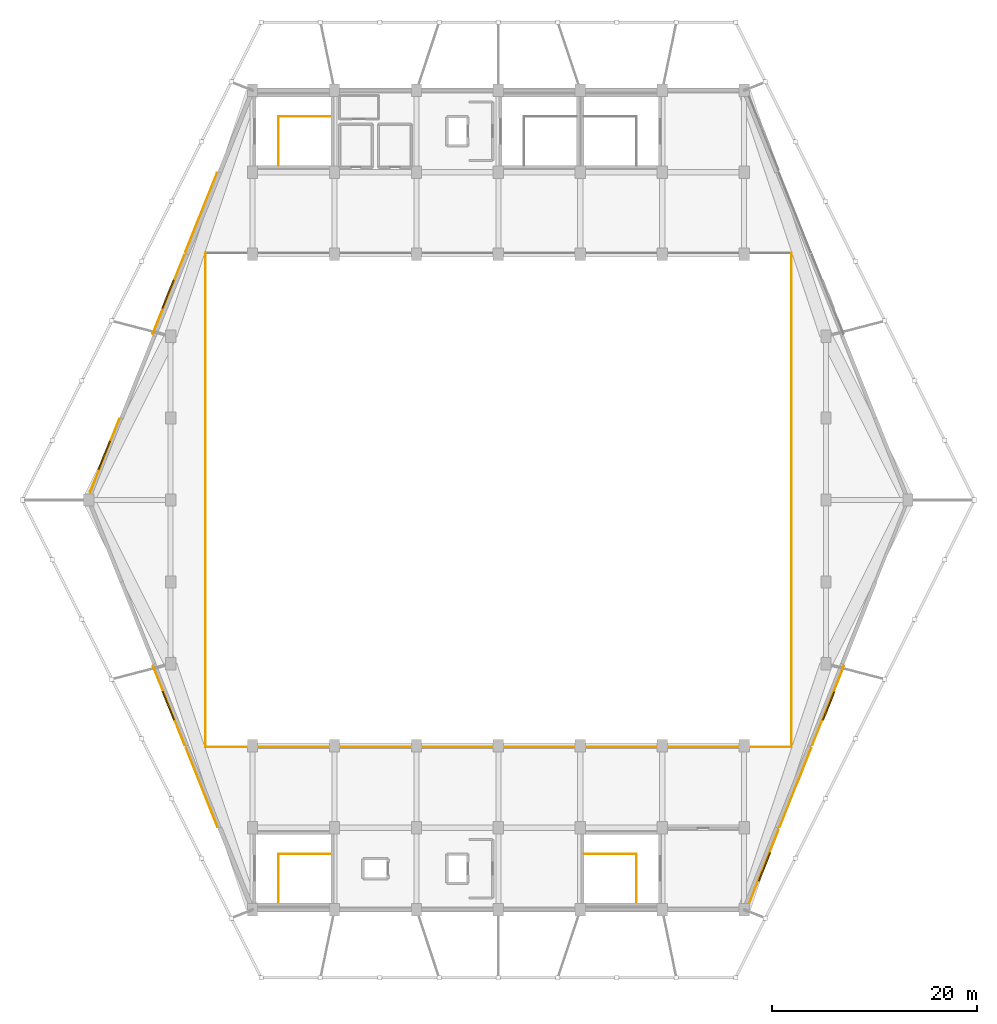
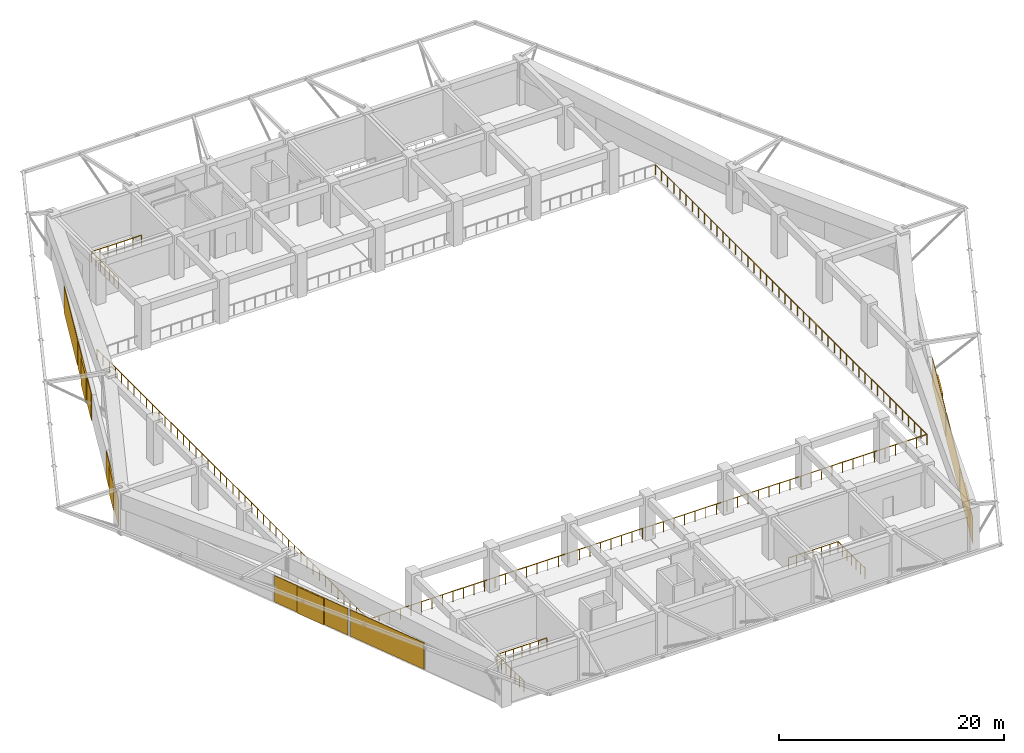
# One storey, part 8 of 9: 9 railings, 8 coverings, 5 shading devices.
"""IFC4 building model written with IfcOpenShell, lengths in metres."""

from ifc_helpers import new_model, si_unit, direction, frame, origin, origin_2d, place, context, subcontext, project, spatial, rectangle, circle, extrude, material, layer, layer_set, type_object, element, save


model = new_model("IFC4")

# Units and contexts
model_context = context("Model", 3, precision=1e-05, world=origin(), true_north=direction((0.0, 1.0)))
body_context = subcontext(model_context, "Body", "Model", "MODEL_VIEW")
ifc_project = project(units=[si_unit("LENGTHUNIT", "METRE"), si_unit("AREAUNIT", "SQUARE_METRE"), si_unit("VOLUMEUNIT", "CUBIC_METRE"), si_unit("PLANEANGLEUNIT", "RADIAN"), si_unit("MASSUNIT", "GRAM", prefix="KILO")], contexts=[model_context])

# Site, building, storey
site_placement = place(None, origin())
site = spatial("IfcSite", under=ifc_project, at=site_placement, CompositionType="ELEMENT")
building_placement = place(site_placement, origin())
building = spatial("IfcBuilding", under=site, at=building_placement, Name="Tazarka Park Arena", CompositionType="ELEMENT")
storey_placement = place(building_placement, frame((0.0, 0.0, 24.60009765625)))
storey = spatial("IfcBuildingStorey", under=building, at=storey_placement, Name="L05", CompositionType="ELEMENT", Elevation=24.60009765625)

# Coverings
ifc_material_1 = material(Name="Dark ribbed perforated bronze-charcoal aluminium mesh", Category="aluminium")
ifc_layer = layer(ifc_material_1, 0.06005859375, Name="Dark ribbed perforated bronze-charcoal aluminium mesh")
ifc_layer_set = layer_set([ifc_layer], Name="Dark ribbed perforated bronze-charcoal aluminium mesh")
covering_type = type_object("IfcCoveringType", Name="CLD-01", PredefinedType="CLADDING", material=ifc_layer_set)
for number, where, z_axis, x_axis, name in (
    (1, (120.19970703125, 43.920166015625, 0.0), (0.0, 0.0, 1.0), (-0.37136783555, -0.928485826881, 0.0), "Ribbed Metal Mesh Cladding EW-L05-0364"),
    (2, (117.0087890625, 35.91650390625, 0.0), (0.0, 0.0, 1.0), (-0.37136783555, -0.928485826881, 0.0), "Ribbed Metal Mesh Cladding EW-L05-0365"),
):
    element("IfcCovering", number, at=place(storey_placement, frame(where, z_axis=z_axis, x_axis=x_axis)), inside=storey, type_object=covering_type, Name=name, PredefinedType="CLADDING", context=body_context, shape_type="SweptSolid", body=[
        extrude(rectangle(XDim=8.31640625, YDim=0.06005859375, at=origin_2d()), origin(), (0.0, 0.0, 1.0), 2.860107421875),
    ])
for number, where, z_axis, x_axis, name in (
    (3, (113.929443359375, 28.20458984375, 0.0), (0.0, 0.0, 1.0), (-0.37136783555, -0.928485826881, 0.0), "Ribbed Metal Mesh Cladding EW-L05-0366"),
    (4, (49.572021484375, 68.34765625, 0.0), (0.0, 0.0, 1.0), (0.37136783555, 0.928485826881, 0.0), "Ribbed Metal Mesh Cladding EW-L05-0378"),
):
    element("IfcCovering", number, at=place(storey_placement, frame(where, z_axis=z_axis, x_axis=x_axis)), inside=storey, type_object=covering_type, Name=name, PredefinedType="CLADDING", context=body_context, shape_type="SweptSolid", body=[
        extrude(rectangle(XDim=7.691650390625, YDim=0.06005859375, at=origin_2d()), origin(), (0.0, 0.0, 1.0), 2.860107421875),
    ])
for number, where, z_axis, x_axis, name in (
    (5, (55.80029296875, 84.079833984375, 0.0), (0.0, 0.0, 1.0), (0.37136783555, 0.928485826881, 0.0), "Ribbed Metal Mesh Cladding EW-L05-0380"),
    (6, (58.9912109375, 92.08349609375, 0.0), (0.0, 0.0, 1.0), (0.37136783555, 0.928485826881, 0.0), "Ribbed Metal Mesh Cladding EW-L05-0381"),
    (7, (59.042236328125, 35.93701171875, 0.0), (0.0, 0.0, 1.0), (-0.37136783555, 0.928485826881, 0.0), "Ribbed Metal Mesh Cladding EW-L05-0384"),
    (8, (55.8330078125, 43.93310546875, 0.0), (0.0, 0.0, 1.0), (-0.37136783555, 0.928485826881, 0.0), "Ribbed Metal Mesh Cladding EW-L05-0385"),
):
    element("IfcCovering", number, at=place(storey_placement, frame(where, z_axis=z_axis, x_axis=x_axis)), inside=storey, type_object=covering_type, Name=name, PredefinedType="CLADDING", context=body_context, shape_type="SweptSolid", body=[
        extrude(rectangle(XDim=8.31640625, YDim=0.06005859375, at=origin_2d()), origin(), (0.0, 0.0, 1.0), 2.860107421875),
    ])

# Railings
ifc_material_2 = material(Name="Galvanised powder-coated architectural steel", Category="steel")
railing_type = type_object("IfcRailingType", Name="IGR-01", PredefinedType="GUARDRAIL", material=ifc_material_2)
railing_1_placement = place(storey_placement, frame((66.514892578125, 24.679931640625, 0.0)))
element("IfcRailing", 9, at=railing_1_placement, inside=storey, type_object=railing_type, Name="Stair Well Guardrail ST09-L05", PredefinedType="GUARDRAIL", context=body_context, shape_type="SweptSolid", body=[
    extrude(circle(Radius=0.02392578125, at=origin_2d()), frame((0.0, 0.0, 1.1259765625), z_axis=(0.0, 1.0, 0.0), x_axis=(-1.0, 0.0, 0.0)), (0.0, 0.0, 1.0), 4.77001953125),
    extrude(circle(Radius=0.02099609375, at=origin_2d()), origin(), (0.0, 0.0, 1.0), 1.101806640625),
    extrude(circle(Radius=0.02099609375, at=origin_2d()), frame((0.0, 0.794921875, 0.0)), (0.0, 0.0, 1.0), 1.101806640625),
    extrude(circle(Radius=0.02099609375, at=origin_2d()), frame((0.0, 1.590087890625, 0.0)), (0.0, 0.0, 1.0), 1.101806640625),
    extrude(circle(Radius=0.02099609375, at=origin_2d()), frame((0.0, 2.385009765625, 0.0)), (0.0, 0.0, 1.0), 1.101806640625),
    extrude(circle(Radius=0.02099609375, at=origin_2d()), frame((0.0, 3.179931640625, 0.0)), (0.0, 0.0, 1.0), 1.101806640625),
    extrude(circle(Radius=0.02099609375, at=origin_2d()), frame((0.0, 3.97509765625, 0.0)), (0.0, 0.0, 1.0), 1.101806640625),
    extrude(circle(Radius=0.02099609375, at=origin_2d()), frame((0.0, 4.77001953125, 0.0)), (0.0, 0.0, 1.0), 1.101806640625),
])
railing_2_placement = place(storey_placement, frame((66.514892578125, 29.449951171875, 0.0)))
element("IfcRailing", 10, at=railing_2_placement, inside=storey, type_object=railing_type, Name="Top Well Guardrail ST09-L05", PredefinedType="GUARDRAIL", context=body_context, shape_type="SweptSolid", body=[
    extrude(circle(Radius=0.02392578125, at=origin_2d()), frame((0.0, 0.0, 1.1259765625), z_axis=(1.0, 0.0, 0.0), x_axis=(0.0, 1.0, 0.0)), (0.0, 0.0, 1.0), 5.105224609375),
    extrude(circle(Radius=0.02099609375, at=origin_2d()), origin(), (0.0, 0.0, 1.0), 1.101806640625),
    extrude(circle(Radius=0.02099609375, at=origin_2d()), frame((0.850830078125, 0.0, 0.0)), (0.0, 0.0, 1.0), 1.101806640625),
    extrude(circle(Radius=0.02099609375, at=origin_2d()), frame((1.70166015625, 0.0, 0.0)), (0.0, 0.0, 1.0), 1.101806640625),
    extrude(circle(Radius=0.02099609375, at=origin_2d()), frame((2.552734375, 0.0, 0.0)), (0.0, 0.0, 1.0), 1.101806640625),
    extrude(circle(Radius=0.02099609375, at=origin_2d()), frame((3.403564453125, 0.0, 0.0)), (0.0, 0.0, 1.0), 1.101806640625),
    extrude(circle(Radius=0.02099609375, at=origin_2d()), frame((4.25439453125, 0.0, 0.0)), (0.0, 0.0, 1.0), 1.101806640625),
    extrude(circle(Radius=0.02099609375, at=origin_2d()), frame((5.105224609375, 0.0, 0.0)), (0.0, 0.0, 1.0), 1.101806640625),
])
railing_3_placement = place(storey_placement, frame((101.485107421875, 24.679931640625, 0.0)))
element("IfcRailing", 11, at=railing_3_placement, inside=storey, type_object=railing_type, Name="Stair Well Guardrail ST11-L05", PredefinedType="GUARDRAIL", context=body_context, shape_type="SweptSolid", body=[
    extrude(circle(Radius=0.02392578125, at=origin_2d()), frame((0.0, 0.0, 1.1259765625), z_axis=(0.0, 1.0, 0.0), x_axis=(-1.0, 0.0, 0.0)), (0.0, 0.0, 1.0), 4.77001953125),
    extrude(circle(Radius=0.02099609375, at=origin_2d()), origin(), (0.0, 0.0, 1.0), 1.101806640625),
    extrude(circle(Radius=0.02099609375, at=origin_2d()), frame((0.0, 0.794921875, 0.0)), (0.0, 0.0, 1.0), 1.101806640625),
    extrude(circle(Radius=0.02099609375, at=origin_2d()), frame((0.0, 1.590087890625, 0.0)), (0.0, 0.0, 1.0), 1.101806640625),
    extrude(circle(Radius=0.02099609375, at=origin_2d()), frame((0.0, 2.385009765625, 0.0)), (0.0, 0.0, 1.0), 1.101806640625),
    extrude(circle(Radius=0.02099609375, at=origin_2d()), frame((0.0, 3.179931640625, 0.0)), (0.0, 0.0, 1.0), 1.101806640625),
    extrude(circle(Radius=0.02099609375, at=origin_2d()), frame((0.0, 3.97509765625, 0.0)), (0.0, 0.0, 1.0), 1.101806640625),
    extrude(circle(Radius=0.02099609375, at=origin_2d()), frame((0.0, 4.77001953125, 0.0)), (0.0, 0.0, 1.0), 1.101806640625),
])
railing_4_placement = place(storey_placement, frame((101.485107421875, 29.449951171875, 0.0)))
element("IfcRailing", 12, at=railing_4_placement, inside=storey, type_object=railing_type, Name="Top Well Guardrail ST11-L05", PredefinedType="GUARDRAIL", context=body_context, shape_type="SweptSolid", body=[
    extrude(circle(Radius=0.02392578125, at=origin_2d()), frame((0.0, 0.0, 1.1259765625), z_axis=(-1.0, 0.0, 0.0), x_axis=(0.0, -1.0, 0.0)), (0.0, 0.0, 1.0), 5.105224609375),
    extrude(circle(Radius=0.02099609375, at=origin_2d()), origin(), (0.0, 0.0, 1.0), 1.101806640625),
    extrude(circle(Radius=0.02099609375, at=origin_2d()), frame((-0.850830078125, 0.0, 0.0)), (0.0, 0.0, 1.0), 1.101806640625),
    extrude(circle(Radius=0.02099609375, at=origin_2d()), frame((-1.70166015625, 0.0, 0.0)), (0.0, 0.0, 1.0), 1.101806640625),
    extrude(circle(Radius=0.02099609375, at=origin_2d()), frame((-2.552734375, 0.0, 0.0)), (0.0, 0.0, 1.0), 1.101806640625),
    extrude(circle(Radius=0.02099609375, at=origin_2d()), frame((-3.403564453125, 0.0, 0.0)), (0.0, 0.0, 1.0), 1.101806640625),
    extrude(circle(Radius=0.02099609375, at=origin_2d()), frame((-4.25439453125, 0.0, 0.0)), (0.0, 0.0, 1.0), 1.101806640625),
    extrude(circle(Radius=0.02099609375, at=origin_2d()), frame((-5.105224609375, 0.0, 0.0)), (0.0, 0.0, 1.0), 1.101806640625),
])
railing_5_placement = place(storey_placement, frame((66.514892578125, 96.679931640625, 0.0)))
element("IfcRailing", 13, at=railing_5_placement, inside=storey, type_object=railing_type, Name="Stair Well Guardrail ST14-L05", PredefinedType="GUARDRAIL", context=body_context, shape_type="SweptSolid", body=[
    extrude(circle(Radius=0.02392578125, at=origin_2d()), frame((0.0, 0.0, 1.1259765625), z_axis=(0.0, 1.0, 0.0), x_axis=(-1.0, 0.0, 0.0)), (0.0, 0.0, 1.0), 4.77001953125),
    extrude(circle(Radius=0.02099609375, at=origin_2d()), origin(), (0.0, 0.0, 1.0), 1.101806640625),
    extrude(circle(Radius=0.02099609375, at=origin_2d()), frame((0.0, 0.794921875, 0.0)), (0.0, 0.0, 1.0), 1.101806640625),
    extrude(circle(Radius=0.02099609375, at=origin_2d()), frame((0.0, 1.590087890625, 0.0)), (0.0, 0.0, 1.0), 1.101806640625),
    extrude(circle(Radius=0.02099609375, at=origin_2d()), frame((0.0, 2.385009765625, 0.0)), (0.0, 0.0, 1.0), 1.101806640625),
    extrude(circle(Radius=0.02099609375, at=origin_2d()), frame((0.0, 3.179931640625, 0.0)), (0.0, 0.0, 1.0), 1.101806640625),
    extrude(circle(Radius=0.02099609375, at=origin_2d()), frame((0.0, 3.97509765625, 0.0)), (0.0, 0.0, 1.0), 1.101806640625),
    extrude(circle(Radius=0.02099609375, at=origin_2d()), frame((0.0, 4.77001953125, 0.0)), (0.0, 0.0, 1.0), 1.101806640625),
])
railing_6_placement = place(storey_placement, frame((66.514892578125, 101.449951171875, 0.0)))
element("IfcRailing", 14, at=railing_6_placement, inside=storey, type_object=railing_type, Name="Top Well Guardrail ST14-L05", PredefinedType="GUARDRAIL", context=body_context, shape_type="SweptSolid", body=[
    extrude(circle(Radius=0.02392578125, at=origin_2d()), frame((0.0, 0.0, 1.1259765625), z_axis=(1.0, 0.0, 0.0), x_axis=(0.0, 1.0, 0.0)), (0.0, 0.0, 1.0), 5.105224609375),
    extrude(circle(Radius=0.02099609375, at=origin_2d()), origin(), (0.0, 0.0, 1.0), 1.101806640625),
    extrude(circle(Radius=0.02099609375, at=origin_2d()), frame((0.850830078125, 0.0, 0.0)), (0.0, 0.0, 1.0), 1.101806640625),
    extrude(circle(Radius=0.02099609375, at=origin_2d()), frame((1.70166015625, 0.0, 0.0)), (0.0, 0.0, 1.0), 1.101806640625),
    extrude(circle(Radius=0.02099609375, at=origin_2d()), frame((2.552734375, 0.0, 0.0)), (0.0, 0.0, 1.0), 1.101806640625),
    extrude(circle(Radius=0.02099609375, at=origin_2d()), frame((3.403564453125, 0.0, 0.0)), (0.0, 0.0, 1.0), 1.101806640625),
    extrude(circle(Radius=0.02099609375, at=origin_2d()), frame((4.25439453125, 0.0, 0.0)), (0.0, 0.0, 1.0), 1.101806640625),
    extrude(circle(Radius=0.02099609375, at=origin_2d()), frame((5.105224609375, 0.0, 0.0)), (0.0, 0.0, 1.0), 1.101806640625),
])
railing_7_placement = place(storey_placement, frame((59.3798828125, 39.8798828125, 0.0)))
element("IfcRailing", 15, at=railing_7_placement, inside=storey, type_object=railing_type, Name="Interior Barrier Guardrail IGR-01-019", PredefinedType="GUARDRAIL", context=body_context, shape_type="SweptSolid", body=[
    extrude(circle(Radius=0.02392578125, at=origin_2d()), frame((0.0, 0.0, 1.1259765625), z_axis=(0.0, 1.0, 0.0), x_axis=(-1.0, 0.0, 0.0)), (0.0, 0.0, 1.0), 48.240234375),
    extrude(circle(Radius=0.02099609375, at=origin_2d()), origin(), (0.0, 0.0, 1.0), 1.101806640625),
    extrude(circle(Radius=0.02099609375, at=origin_2d()), frame((0.0, 1.096435546875, 0.0)), (0.0, 0.0, 1.0), 1.101806640625),
    extrude(circle(Radius=0.02099609375, at=origin_2d()), frame((0.0, 2.192626953125, 0.0)), (0.0, 0.0, 1.0), 1.101806640625),
    extrude(circle(Radius=0.02099609375, at=origin_2d()), frame((0.0, 3.2890625, 0.0)), (0.0, 0.0, 1.0), 1.101806640625),
    extrude(circle(Radius=0.02099609375, at=origin_2d()), frame((0.0, 4.385498046875, 0.0)), (0.0, 0.0, 1.0), 1.101806640625),
    extrude(circle(Radius=0.02099609375, at=origin_2d()), frame((0.0, 5.48193359375, 0.0)), (0.0, 0.0, 1.0), 1.101806640625),
    extrude(circle(Radius=0.02099609375, at=origin_2d()), frame((0.0, 6.578125, 0.0)), (0.0, 0.0, 1.0), 1.101806640625),
    extrude(circle(Radius=0.02099609375, at=origin_2d()), frame((0.0, 7.674560546875, 0.0)), (0.0, 0.0, 1.0), 1.101806640625),
    extrude(circle(Radius=0.02099609375, at=origin_2d()), frame((0.0, 8.77099609375, 0.0)), (0.0, 0.0, 1.0), 1.101806640625),
    extrude(circle(Radius=0.02099609375, at=origin_2d()), frame((0.0, 9.867431640625, 0.0)), (0.0, 0.0, 1.0), 1.101806640625),
    extrude(circle(Radius=0.02099609375, at=origin_2d()), frame((0.0, 10.963623046875, 0.0)), (0.0, 0.0, 1.0), 1.101806640625),
    extrude(circle(Radius=0.02099609375, at=origin_2d()), frame((0.0, 12.06005859375, 0.0)), (0.0, 0.0, 1.0), 1.101806640625),
    extrude(circle(Radius=0.02099609375, at=origin_2d()), frame((0.0, 13.156494140625, 0.0)), (0.0, 0.0, 1.0), 1.101806640625),
    extrude(circle(Radius=0.02099609375, at=origin_2d()), frame((0.0, 14.252685546875, 0.0)), (0.0, 0.0, 1.0), 1.101806640625),
    extrude(circle(Radius=0.02099609375, at=origin_2d()), frame((0.0, 15.34912109375, 0.0)), (0.0, 0.0, 1.0), 1.101806640625),
    extrude(circle(Radius=0.02099609375, at=origin_2d()), frame((0.0, 16.445556640625, 0.0)), (0.0, 0.0, 1.0), 1.101806640625),
    extrude(circle(Radius=0.02099609375, at=origin_2d()), frame((0.0, 17.5419921875, 0.0)), (0.0, 0.0, 1.0), 1.101806640625),
    extrude(circle(Radius=0.02099609375, at=origin_2d()), frame((0.0, 18.63818359375, 0.0)), (0.0, 0.0, 1.0), 1.101806640625),
    extrude(circle(Radius=0.02099609375, at=origin_2d()), frame((0.0, 19.734619140625, 0.0)), (0.0, 0.0, 1.0), 1.101806640625),
    extrude(circle(Radius=0.02099609375, at=origin_2d()), frame((0.0, 20.8310546875, 0.0)), (0.0, 0.0, 1.0), 1.101806640625),
    extrude(circle(Radius=0.02099609375, at=origin_2d()), frame((0.0, 21.927490234375, 0.0)), (0.0, 0.0, 1.0), 1.101806640625),
    extrude(circle(Radius=0.02099609375, at=origin_2d()), frame((0.0, 23.023681640625, 0.0)), (0.0, 0.0, 1.0), 1.101806640625),
    extrude(circle(Radius=0.02099609375, at=origin_2d()), frame((0.0, 24.1201171875, 0.0)), (0.0, 0.0, 1.0), 1.101806640625),
    extrude(circle(Radius=0.02099609375, at=origin_2d()), frame((0.0, 25.216552734375, 0.0)), (0.0, 0.0, 1.0), 1.101806640625),
    extrude(circle(Radius=0.02099609375, at=origin_2d()), frame((0.0, 26.312744140625, 0.0)), (0.0, 0.0, 1.0), 1.101806640625),
    extrude(circle(Radius=0.02099609375, at=origin_2d()), frame((0.0, 27.4091796875, 0.0)), (0.0, 0.0, 1.0), 1.101806640625),
    extrude(circle(Radius=0.02099609375, at=origin_2d()), frame((0.0, 28.505615234375, 0.0)), (0.0, 0.0, 1.0), 1.101806640625),
    extrude(circle(Radius=0.02099609375, at=origin_2d()), frame((0.0, 29.60205078125, 0.0)), (0.0, 0.0, 1.0), 1.101806640625),
    extrude(circle(Radius=0.02099609375, at=origin_2d()), frame((0.0, 30.6982421875, 0.0)), (0.0, 0.0, 1.0), 1.101806640625),
    extrude(circle(Radius=0.02099609375, at=origin_2d()), frame((0.0, 31.794677734375, 0.0)), (0.0, 0.0, 1.0), 1.101806640625),
    extrude(circle(Radius=0.02099609375, at=origin_2d()), frame((0.0, 32.89111328125, 0.0)), (0.0, 0.0, 1.0), 1.101806640625),
    extrude(circle(Radius=0.02099609375, at=origin_2d()), frame((0.0, 33.987548828125, 0.0)), (0.0, 0.0, 1.0), 1.101806640625),
    extrude(circle(Radius=0.02099609375, at=origin_2d()), frame((0.0, 35.083740234375, 0.0)), (0.0, 0.0, 1.0), 1.101806640625),
    extrude(circle(Radius=0.02099609375, at=origin_2d()), frame((0.0, 36.18017578125, 0.0)), (0.0, 0.0, 1.0), 1.101806640625),
    extrude(circle(Radius=0.02099609375, at=origin_2d()), frame((0.0, 37.276611328125, 0.0)), (0.0, 0.0, 1.0), 1.101806640625),
    extrude(circle(Radius=0.02099609375, at=origin_2d()), frame((0.0, 38.372802734375, 0.0)), (0.0, 0.0, 1.0), 1.101806640625),
    extrude(circle(Radius=0.02099609375, at=origin_2d()), frame((0.0, 39.46923828125, 0.0)), (0.0, 0.0, 1.0), 1.101806640625),
    extrude(circle(Radius=0.02099609375, at=origin_2d()), frame((0.0, 40.565673828125, 0.0)), (0.0, 0.0, 1.0), 1.101806640625),
    extrude(circle(Radius=0.02099609375, at=origin_2d()), frame((0.0, 41.662109375, 0.0)), (0.0, 0.0, 1.0), 1.101806640625),
    extrude(circle(Radius=0.02099609375, at=origin_2d()), frame((0.0, 42.75830078125, 0.0)), (0.0, 0.0, 1.0), 1.101806640625),
    extrude(circle(Radius=0.02099609375, at=origin_2d()), frame((0.0, 43.854736328125, 0.0)), (0.0, 0.0, 1.0), 1.101806640625),
    extrude(circle(Radius=0.02099609375, at=origin_2d()), frame((0.0, 44.951171875, 0.0)), (0.0, 0.0, 1.0), 1.101806640625),
    extrude(circle(Radius=0.02099609375, at=origin_2d()), frame((0.0, 46.047607421875, 0.0)), (0.0, 0.0, 1.0), 1.101806640625),
    extrude(circle(Radius=0.02099609375, at=origin_2d()), frame((0.0, 47.143798828125, 0.0)), (0.0, 0.0, 1.0), 1.101806640625),
    extrude(circle(Radius=0.02099609375, at=origin_2d()), frame((0.0, 48.240234375, 0.0)), (0.0, 0.0, 1.0), 1.101806640625),
])
railing_8_placement = place(storey_placement, frame((116.6201171875, 39.8798828125, 0.0)))
element("IfcRailing", 16, at=railing_8_placement, inside=storey, type_object=railing_type, Name="Interior Barrier Guardrail IGR-01-020", PredefinedType="GUARDRAIL", context=body_context, shape_type="SweptSolid", body=[
    extrude(circle(Radius=0.02392578125, at=origin_2d()), frame((0.0, 0.0, 1.1259765625), z_axis=(0.0, 1.0, 0.0), x_axis=(-1.0, 0.0, 0.0)), (0.0, 0.0, 1.0), 48.240234375),
    extrude(circle(Radius=0.02099609375, at=origin_2d()), origin(), (0.0, 0.0, 1.0), 1.101806640625),
    extrude(circle(Radius=0.02099609375, at=origin_2d()), frame((0.0, 1.096435546875, 0.0)), (0.0, 0.0, 1.0), 1.101806640625),
    extrude(circle(Radius=0.02099609375, at=origin_2d()), frame((0.0, 2.192626953125, 0.0)), (0.0, 0.0, 1.0), 1.101806640625),
    extrude(circle(Radius=0.02099609375, at=origin_2d()), frame((0.0, 3.2890625, 0.0)), (0.0, 0.0, 1.0), 1.101806640625),
    extrude(circle(Radius=0.02099609375, at=origin_2d()), frame((0.0, 4.385498046875, 0.0)), (0.0, 0.0, 1.0), 1.101806640625),
    extrude(circle(Radius=0.02099609375, at=origin_2d()), frame((0.0, 5.48193359375, 0.0)), (0.0, 0.0, 1.0), 1.101806640625),
    extrude(circle(Radius=0.02099609375, at=origin_2d()), frame((0.0, 6.578125, 0.0)), (0.0, 0.0, 1.0), 1.101806640625),
    extrude(circle(Radius=0.02099609375, at=origin_2d()), frame((0.0, 7.674560546875, 0.0)), (0.0, 0.0, 1.0), 1.101806640625),
    extrude(circle(Radius=0.02099609375, at=origin_2d()), frame((0.0, 8.77099609375, 0.0)), (0.0, 0.0, 1.0), 1.101806640625),
    extrude(circle(Radius=0.02099609375, at=origin_2d()), frame((0.0, 9.867431640625, 0.0)), (0.0, 0.0, 1.0), 1.101806640625),
    extrude(circle(Radius=0.02099609375, at=origin_2d()), frame((0.0, 10.963623046875, 0.0)), (0.0, 0.0, 1.0), 1.101806640625),
    extrude(circle(Radius=0.02099609375, at=origin_2d()), frame((0.0, 12.06005859375, 0.0)), (0.0, 0.0, 1.0), 1.101806640625),
    extrude(circle(Radius=0.02099609375, at=origin_2d()), frame((0.0, 13.156494140625, 0.0)), (0.0, 0.0, 1.0), 1.101806640625),
    extrude(circle(Radius=0.02099609375, at=origin_2d()), frame((0.0, 14.252685546875, 0.0)), (0.0, 0.0, 1.0), 1.101806640625),
    extrude(circle(Radius=0.02099609375, at=origin_2d()), frame((0.0, 15.34912109375, 0.0)), (0.0, 0.0, 1.0), 1.101806640625),
    extrude(circle(Radius=0.02099609375, at=origin_2d()), frame((0.0, 16.445556640625, 0.0)), (0.0, 0.0, 1.0), 1.101806640625),
    extrude(circle(Radius=0.02099609375, at=origin_2d()), frame((0.0, 17.5419921875, 0.0)), (0.0, 0.0, 1.0), 1.101806640625),
    extrude(circle(Radius=0.02099609375, at=origin_2d()), frame((0.0, 18.63818359375, 0.0)), (0.0, 0.0, 1.0), 1.101806640625),
    extrude(circle(Radius=0.02099609375, at=origin_2d()), frame((0.0, 19.734619140625, 0.0)), (0.0, 0.0, 1.0), 1.101806640625),
    extrude(circle(Radius=0.02099609375, at=origin_2d()), frame((0.0, 20.8310546875, 0.0)), (0.0, 0.0, 1.0), 1.101806640625),
    extrude(circle(Radius=0.02099609375, at=origin_2d()), frame((0.0, 21.927490234375, 0.0)), (0.0, 0.0, 1.0), 1.101806640625),
    extrude(circle(Radius=0.02099609375, at=origin_2d()), frame((0.0, 23.023681640625, 0.0)), (0.0, 0.0, 1.0), 1.101806640625),
    extrude(circle(Radius=0.02099609375, at=origin_2d()), frame((0.0, 24.1201171875, 0.0)), (0.0, 0.0, 1.0), 1.101806640625),
    extrude(circle(Radius=0.02099609375, at=origin_2d()), frame((0.0, 25.216552734375, 0.0)), (0.0, 0.0, 1.0), 1.101806640625),
    extrude(circle(Radius=0.02099609375, at=origin_2d()), frame((0.0, 26.312744140625, 0.0)), (0.0, 0.0, 1.0), 1.101806640625),
    extrude(circle(Radius=0.02099609375, at=origin_2d()), frame((0.0, 27.4091796875, 0.0)), (0.0, 0.0, 1.0), 1.101806640625),
    extrude(circle(Radius=0.02099609375, at=origin_2d()), frame((0.0, 28.505615234375, 0.0)), (0.0, 0.0, 1.0), 1.101806640625),
    extrude(circle(Radius=0.02099609375, at=origin_2d()), frame((0.0, 29.60205078125, 0.0)), (0.0, 0.0, 1.0), 1.101806640625),
    extrude(circle(Radius=0.02099609375, at=origin_2d()), frame((0.0, 30.6982421875, 0.0)), (0.0, 0.0, 1.0), 1.101806640625),
    extrude(circle(Radius=0.02099609375, at=origin_2d()), frame((0.0, 31.794677734375, 0.0)), (0.0, 0.0, 1.0), 1.101806640625),
    extrude(circle(Radius=0.02099609375, at=origin_2d()), frame((0.0, 32.89111328125, 0.0)), (0.0, 0.0, 1.0), 1.101806640625),
    extrude(circle(Radius=0.02099609375, at=origin_2d()), frame((0.0, 33.987548828125, 0.0)), (0.0, 0.0, 1.0), 1.101806640625),
    extrude(circle(Radius=0.02099609375, at=origin_2d()), frame((0.0, 35.083740234375, 0.0)), (0.0, 0.0, 1.0), 1.101806640625),
    extrude(circle(Radius=0.02099609375, at=origin_2d()), frame((0.0, 36.18017578125, 0.0)), (0.0, 0.0, 1.0), 1.101806640625),
    extrude(circle(Radius=0.02099609375, at=origin_2d()), frame((0.0, 37.276611328125, 0.0)), (0.0, 0.0, 1.0), 1.101806640625),
    extrude(circle(Radius=0.02099609375, at=origin_2d()), frame((0.0, 38.372802734375, 0.0)), (0.0, 0.0, 1.0), 1.101806640625),
    extrude(circle(Radius=0.02099609375, at=origin_2d()), frame((0.0, 39.46923828125, 0.0)), (0.0, 0.0, 1.0), 1.101806640625),
    extrude(circle(Radius=0.02099609375, at=origin_2d()), frame((0.0, 40.565673828125, 0.0)), (0.0, 0.0, 1.0), 1.101806640625),
    extrude(circle(Radius=0.02099609375, at=origin_2d()), frame((0.0, 41.662109375, 0.0)), (0.0, 0.0, 1.0), 1.101806640625),
    extrude(circle(Radius=0.02099609375, at=origin_2d()), frame((0.0, 42.75830078125, 0.0)), (0.0, 0.0, 1.0), 1.101806640625),
    extrude(circle(Radius=0.02099609375, at=origin_2d()), frame((0.0, 43.854736328125, 0.0)), (0.0, 0.0, 1.0), 1.101806640625),
    extrude(circle(Radius=0.02099609375, at=origin_2d()), frame((0.0, 44.951171875, 0.0)), (0.0, 0.0, 1.0), 1.101806640625),
    extrude(circle(Radius=0.02099609375, at=origin_2d()), frame((0.0, 46.047607421875, 0.0)), (0.0, 0.0, 1.0), 1.101806640625),
    extrude(circle(Radius=0.02099609375, at=origin_2d()), frame((0.0, 47.143798828125, 0.0)), (0.0, 0.0, 1.0), 1.101806640625),
    extrude(circle(Radius=0.02099609375, at=origin_2d()), frame((0.0, 48.240234375, 0.0)), (0.0, 0.0, 1.0), 1.101806640625),
])
railing_9_placement = place(storey_placement, frame((59.3798828125, 39.8798828125, 0.0)))
element("IfcRailing", 17, at=railing_9_placement, inside=storey, type_object=railing_type, Name="Interior Barrier Guardrail IGR-01-021", PredefinedType="GUARDRAIL", context=body_context, shape_type="SweptSolid", body=[
    extrude(circle(Radius=0.02392578125, at=origin_2d()), frame((0.0, 0.0, 1.1259765625), z_axis=(1.0, 0.0, 0.0), x_axis=(0.0, 1.0, 0.0)), (0.0, 0.0, 1.0), 57.240234375),
    extrude(circle(Radius=0.02099609375, at=origin_2d()), origin(), (0.0, 0.0, 1.0), 1.101806640625),
    extrude(circle(Radius=0.02099609375, at=origin_2d()), frame((1.080078125, 0.0, 0.0)), (0.0, 0.0, 1.0), 1.101806640625),
    extrude(circle(Radius=0.02099609375, at=origin_2d()), frame((2.159912109375, 0.0, 0.0)), (0.0, 0.0, 1.0), 1.101806640625),
    extrude(circle(Radius=0.02099609375, at=origin_2d()), frame((3.239990234375, 0.0, 0.0)), (0.0, 0.0, 1.0), 1.101806640625),
    extrude(circle(Radius=0.02099609375, at=origin_2d()), frame((4.320068359375, 0.0, 0.0)), (0.0, 0.0, 1.0), 1.101806640625),
    extrude(circle(Radius=0.02099609375, at=origin_2d()), frame((5.39990234375, 0.0, 0.0)), (0.0, 0.0, 1.0), 1.101806640625),
    extrude(circle(Radius=0.02099609375, at=origin_2d()), frame((6.47998046875, 0.0, 0.0)), (0.0, 0.0, 1.0), 1.101806640625),
    extrude(circle(Radius=0.02099609375, at=origin_2d()), frame((7.56005859375, 0.0, 0.0)), (0.0, 0.0, 1.0), 1.101806640625),
    extrude(circle(Radius=0.02099609375, at=origin_2d()), frame((8.64013671875, 0.0, 0.0)), (0.0, 0.0, 1.0), 1.101806640625),
    extrude(circle(Radius=0.02099609375, at=origin_2d()), frame((9.719970703125, 0.0, 0.0)), (0.0, 0.0, 1.0), 1.101806640625),
    extrude(circle(Radius=0.02099609375, at=origin_2d()), frame((10.800048828125, 0.0, 0.0)), (0.0, 0.0, 1.0), 1.101806640625),
    extrude(circle(Radius=0.02099609375, at=origin_2d()), frame((11.880126953125, 0.0, 0.0)), (0.0, 0.0, 1.0), 1.101806640625),
    extrude(circle(Radius=0.02099609375, at=origin_2d()), frame((12.9599609375, 0.0, 0.0)), (0.0, 0.0, 1.0), 1.101806640625),
    extrude(circle(Radius=0.02099609375, at=origin_2d()), frame((14.0400390625, 0.0, 0.0)), (0.0, 0.0, 1.0), 1.101806640625),
    extrude(circle(Radius=0.02099609375, at=origin_2d()), frame((15.1201171875, 0.0, 0.0)), (0.0, 0.0, 1.0), 1.101806640625),
    extrude(circle(Radius=0.02099609375, at=origin_2d()), frame((16.199951171875, 0.0, 0.0)), (0.0, 0.0, 1.0), 1.101806640625),
    extrude(circle(Radius=0.02099609375, at=origin_2d()), frame((17.280029296875, 0.0, 0.0)), (0.0, 0.0, 1.0), 1.101806640625),
    extrude(circle(Radius=0.02099609375, at=origin_2d()), frame((18.360107421875, 0.0, 0.0)), (0.0, 0.0, 1.0), 1.101806640625),
    extrude(circle(Radius=0.02099609375, at=origin_2d()), frame((19.440185546875, 0.0, 0.0)), (0.0, 0.0, 1.0), 1.101806640625),
    extrude(circle(Radius=0.02099609375, at=origin_2d()), frame((20.52001953125, 0.0, 0.0)), (0.0, 0.0, 1.0), 1.101806640625),
    extrude(circle(Radius=0.02099609375, at=origin_2d()), frame((21.60009765625, 0.0, 0.0)), (0.0, 0.0, 1.0), 1.101806640625),
    extrude(circle(Radius=0.02099609375, at=origin_2d()), frame((22.68017578125, 0.0, 0.0)), (0.0, 0.0, 1.0), 1.101806640625),
    extrude(circle(Radius=0.02099609375, at=origin_2d()), frame((23.760009765625, 0.0, 0.0)), (0.0, 0.0, 1.0), 1.101806640625),
    extrude(circle(Radius=0.02099609375, at=origin_2d()), frame((24.840087890625, 0.0, 0.0)), (0.0, 0.0, 1.0), 1.101806640625),
    extrude(circle(Radius=0.02099609375, at=origin_2d()), frame((25.920166015625, 0.0, 0.0)), (0.0, 0.0, 1.0), 1.101806640625),
    extrude(circle(Radius=0.02099609375, at=origin_2d()), frame((27.0, 0.0, 0.0)), (0.0, 0.0, 1.0), 1.101806640625),
    extrude(circle(Radius=0.02099609375, at=origin_2d()), frame((28.080078125, 0.0, 0.0)), (0.0, 0.0, 1.0), 1.101806640625),
    extrude(circle(Radius=0.02099609375, at=origin_2d()), frame((29.16015625, 0.0, 0.0)), (0.0, 0.0, 1.0), 1.101806640625),
    extrude(circle(Radius=0.02099609375, at=origin_2d()), frame((30.240234375, 0.0, 0.0)), (0.0, 0.0, 1.0), 1.101806640625),
    extrude(circle(Radius=0.02099609375, at=origin_2d()), frame((31.320068359375, 0.0, 0.0)), (0.0, 0.0, 1.0), 1.101806640625),
    extrude(circle(Radius=0.02099609375, at=origin_2d()), frame((32.400146484375, 0.0, 0.0)), (0.0, 0.0, 1.0), 1.101806640625),
    extrude(circle(Radius=0.02099609375, at=origin_2d()), frame((33.480224609375, 0.0, 0.0)), (0.0, 0.0, 1.0), 1.101806640625),
    extrude(circle(Radius=0.02099609375, at=origin_2d()), frame((34.56005859375, 0.0, 0.0)), (0.0, 0.0, 1.0), 1.101806640625),
    extrude(circle(Radius=0.02099609375, at=origin_2d()), frame((35.64013671875, 0.0, 0.0)), (0.0, 0.0, 1.0), 1.101806640625),
    extrude(circle(Radius=0.02099609375, at=origin_2d()), frame((36.72021484375, 0.0, 0.0)), (0.0, 0.0, 1.0), 1.101806640625),
    extrude(circle(Radius=0.02099609375, at=origin_2d()), frame((37.800048828125, 0.0, 0.0)), (0.0, 0.0, 1.0), 1.101806640625),
    extrude(circle(Radius=0.02099609375, at=origin_2d()), frame((38.880126953125, 0.0, 0.0)), (0.0, 0.0, 1.0), 1.101806640625),
    extrude(circle(Radius=0.02099609375, at=origin_2d()), frame((39.960205078125, 0.0, 0.0)), (0.0, 0.0, 1.0), 1.101806640625),
    extrude(circle(Radius=0.02099609375, at=origin_2d()), frame((41.040283203125, 0.0, 0.0)), (0.0, 0.0, 1.0), 1.101806640625),
    extrude(circle(Radius=0.02099609375, at=origin_2d()), frame((42.1201171875, 0.0, 0.0)), (0.0, 0.0, 1.0), 1.101806640625),
    extrude(circle(Radius=0.02099609375, at=origin_2d()), frame((43.2001953125, 0.0, 0.0)), (0.0, 0.0, 1.0), 1.101806640625),
    extrude(circle(Radius=0.02099609375, at=origin_2d()), frame((44.2802734375, 0.0, 0.0)), (0.0, 0.0, 1.0), 1.101806640625),
    extrude(circle(Radius=0.02099609375, at=origin_2d()), frame((45.360107421875, 0.0, 0.0)), (0.0, 0.0, 1.0), 1.101806640625),
    extrude(circle(Radius=0.02099609375, at=origin_2d()), frame((46.440185546875, 0.0, 0.0)), (0.0, 0.0, 1.0), 1.101806640625),
    extrude(circle(Radius=0.02099609375, at=origin_2d()), frame((47.520263671875, 0.0, 0.0)), (0.0, 0.0, 1.0), 1.101806640625),
    extrude(circle(Radius=0.02099609375, at=origin_2d()), frame((48.60009765625, 0.0, 0.0)), (0.0, 0.0, 1.0), 1.101806640625),
    extrude(circle(Radius=0.02099609375, at=origin_2d()), frame((49.68017578125, 0.0, 0.0)), (0.0, 0.0, 1.0), 1.101806640625),
    extrude(circle(Radius=0.02099609375, at=origin_2d()), frame((50.76025390625, 0.0, 0.0)), (0.0, 0.0, 1.0), 1.101806640625),
    extrude(circle(Radius=0.02099609375, at=origin_2d()), frame((51.84033203125, 0.0, 0.0)), (0.0, 0.0, 1.0), 1.101806640625),
    extrude(circle(Radius=0.02099609375, at=origin_2d()), frame((52.920166015625, 0.0, 0.0)), (0.0, 0.0, 1.0), 1.101806640625),
    extrude(circle(Radius=0.02099609375, at=origin_2d()), frame((54.000244140625, 0.0, 0.0)), (0.0, 0.0, 1.0), 1.101806640625),
    extrude(circle(Radius=0.02099609375, at=origin_2d()), frame((55.080322265625, 0.0, 0.0)), (0.0, 0.0, 1.0), 1.101806640625),
    extrude(circle(Radius=0.02099609375, at=origin_2d()), frame((56.16015625, 0.0, 0.0)), (0.0, 0.0, 1.0), 1.101806640625),
    extrude(circle(Radius=0.02099609375, at=origin_2d()), frame((57.240234375, 0.0, 0.0)), (0.0, 0.0, 1.0), 1.101806640625),
])

# Shading devices
ifc_material_3 = material(Name="Dark ribbed perforated bronze-charcoal aluminium mesh", Category="aluminium")
shading_device_type = type_object("IfcShadingDeviceType", Name="SHD-02", PredefinedType="JALOUSIE", material=ifc_material_3)
for number, where, z_axis, x_axis, name in (
    (18, (120.25537109375, 43.89794921875, 0.0), (0.0, 0.0, 1.0), (-0.37136783555, -0.928485826881, 0.0), "Perforated Mesh Screen EW-L05-0364"),
    (19, (113.9853515625, 28.182373046875, 0.0), (0.0, 0.0, 1.0), (-0.37136783555, -0.928485826881, 0.0), "Perforated Mesh Screen EW-L05-0366"),
    (20, (49.516357421875, 68.369873046875, 0.0), (0.0, 0.0, 1.0), (0.37136783555, 0.928485826881, 0.0), "Perforated Mesh Screen EW-L05-0378"),
    (21, (55.74462890625, 84.10205078125, 0.0), (0.0, 0.0, 1.0), (0.37136783555, 0.928485826881, 0.0), "Perforated Mesh Screen EW-L05-0380"),
    (22, (55.777099609375, 43.910888671875, 0.0), (0.0, 0.0, 1.0), (-0.37136783555, 0.928485826881, 0.0), "Perforated Mesh Screen EW-L05-0385"),
):
    element("IfcShadingDevice", number, at=place(storey_placement, frame(where, z_axis=z_axis, x_axis=x_axis)), inside=storey, type_object=shading_device_type, Name=name, PredefinedType="JALOUSIE", context=body_context, shape_type="SweptSolid", body=[
        extrude(rectangle(XDim=3.0, YDim=0.139892578125, at=origin_2d()), origin(), (0.0, 0.0, 1.0), 2.860107421875),
    ])

save(model, "model.ifc")
